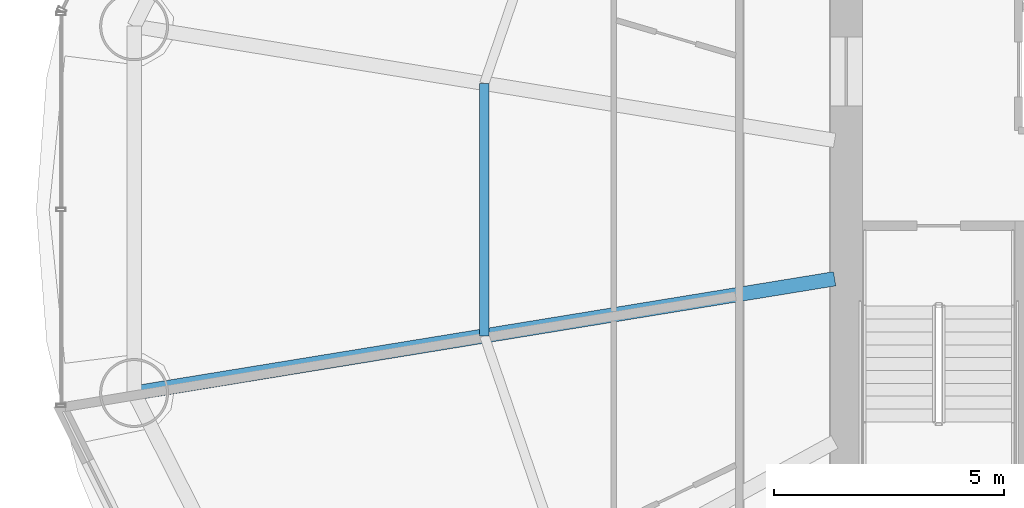
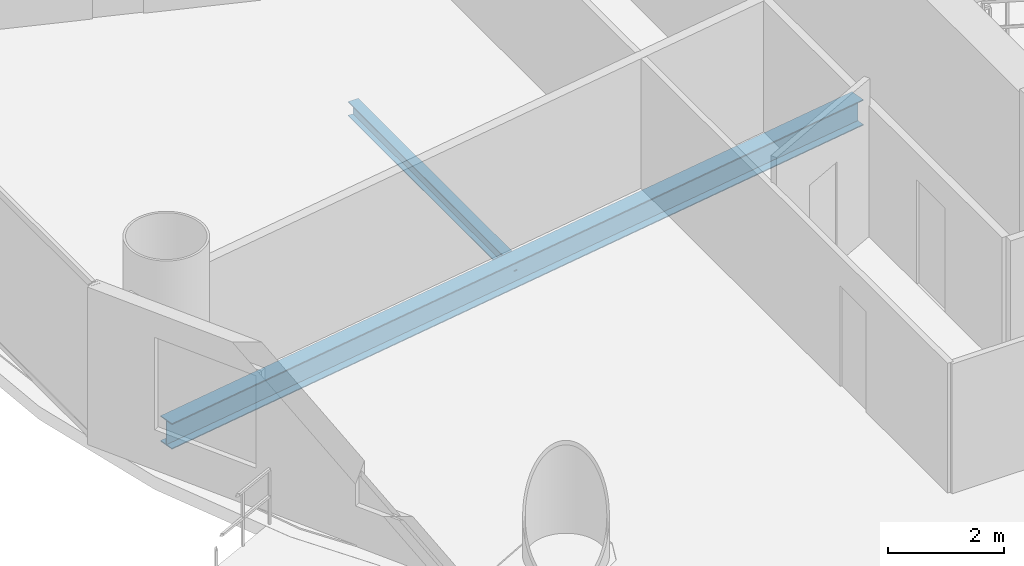
# One storey, part 8 of 29: 2 beams.
"""IFC4 building model written with IfcOpenShell, lengths in metres."""

from ifc_helpers import new_model, si_unit, direction, frame, origin, origin_2d, place, context, subcontext, project, spatial, i_section, extrude, material, material_profile, profile_set, type_object, element, save


model = new_model("IFC4")

# Units and contexts
model_context = context("Model", 3, precision=1e-05, world=origin(), true_north=direction((-0.2419218956, 0.970295726276)))
body_context = subcontext(model_context, "Body", "Model", "MODEL_VIEW")
ifc_project = project(units=[si_unit("LENGTHUNIT", "METRE"), si_unit("AREAUNIT", "SQUARE_METRE"), si_unit("VOLUMEUNIT", "CUBIC_METRE"), si_unit("PLANEANGLEUNIT", "RADIAN"), si_unit("MASSUNIT", "GRAM", prefix="KILO")], contexts=[model_context])

# Site, building, storey
site_placement = place(None, origin())
site = spatial("IfcSite", under=ifc_project, at=site_placement, CompositionType="ELEMENT")
building_placement = place(site_placement, origin())
building = spatial("IfcBuilding", under=site, at=building_placement, Name="Cobrevalo Terracotta Tower", CompositionType="ELEMENT")
storey_placement = place(building_placement, frame((0.0, 0.0, 87.0)))
storey = spatial("IfcBuildingStorey", under=building, at=storey_placement, Name="L22", CompositionType="ELEMENT", Elevation=87.0)

# Beams
ifc_material = material(Name="Steel S355", Category="steel")
ifc_material_profile_1 = material_profile(ifc_material, i_section(OverallWidth=0.31201171875, OverallDepth=0.54296875, WebThickness=0.0126953125, FlangeThickness=0.020263671875, at=origin_2d()), Name="W 530x150")
ifc_profile_set_1 = profile_set([ifc_material_profile_1], Name="Steel S355")
beam_type_1 = type_object("IfcBeamType", Name="Structural Beam W 530x150 (Steel S355)", PredefinedType="BEAM", material=ifc_profile_set_1)
beam_1_placement = place(storey_placement, frame((13.529296875, 22.810302734375, -0.54638671875), z_axis=(0.986968056587, 0.160916298977, 0.0), x_axis=(-0.160916298977, 0.986968056587, 0.0)))
element("IfcBeam", 1, at=beam_1_placement, inside=storey, type_object=beam_type_1, Name="L22 radial floor girder 09", PredefinedType="BEAM", context=body_context, shape_type="SweptSolid", body=[
    extrude(i_section(OverallWidth=0.31201171875, OverallDepth=0.54296875, WebThickness=0.0126953125, FlangeThickness=0.020263671875, at=origin_2d()), origin(), (0.0, 0.0, 1.0), 15.44189453125),
])
ifc_material_profile_2 = material_profile(ifc_material, i_section(OverallWidth=0.2041015625, OverallDepth=0.305908203125, WebThickness=0.008544921875, FlangeThickness=0.0146484375, at=origin_2d()), Name="W 310x67")
ifc_profile_set_2 = profile_set([ifc_material_profile_2], Name="Steel S355")
beam_type_2 = type_object("IfcBeamType", Name="Structural Joist W 310x67 (Steel S355)", PredefinedType="JOIST", material=ifc_profile_set_2)
beam_2_placement = place(storey_placement, frame((21.149658203125, 29.547119140625, -0.427978515625), z_axis=(0.0, -1.0, 0.0), x_axis=(1.0, 0.0, 0.0)))
element("IfcBeam", 2, at=beam_2_placement, inside=storey, type_object=beam_type_2, Name="L22 circumferential secondary floor joist 08", PredefinedType="JOIST", context=body_context, shape_type="SweptSolid", body=[
    extrude(i_section(OverallWidth=0.2041015625, OverallDepth=0.305908203125, WebThickness=0.008544921875, FlangeThickness=0.0146484375, at=origin_2d()), origin(), (0.0, 0.0, 1.0), 5.494384765625),
])

save(model, "model.ifc")
